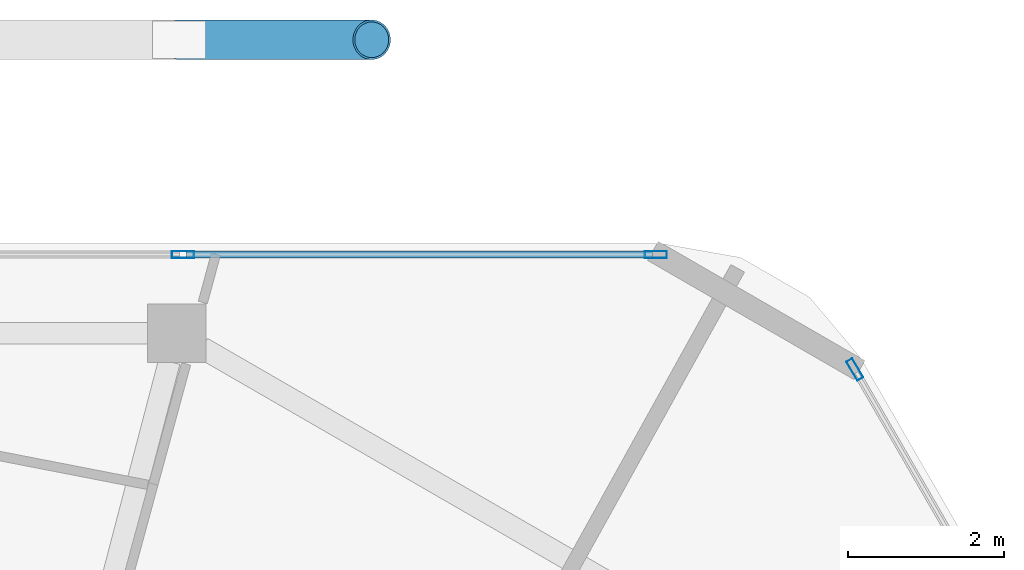
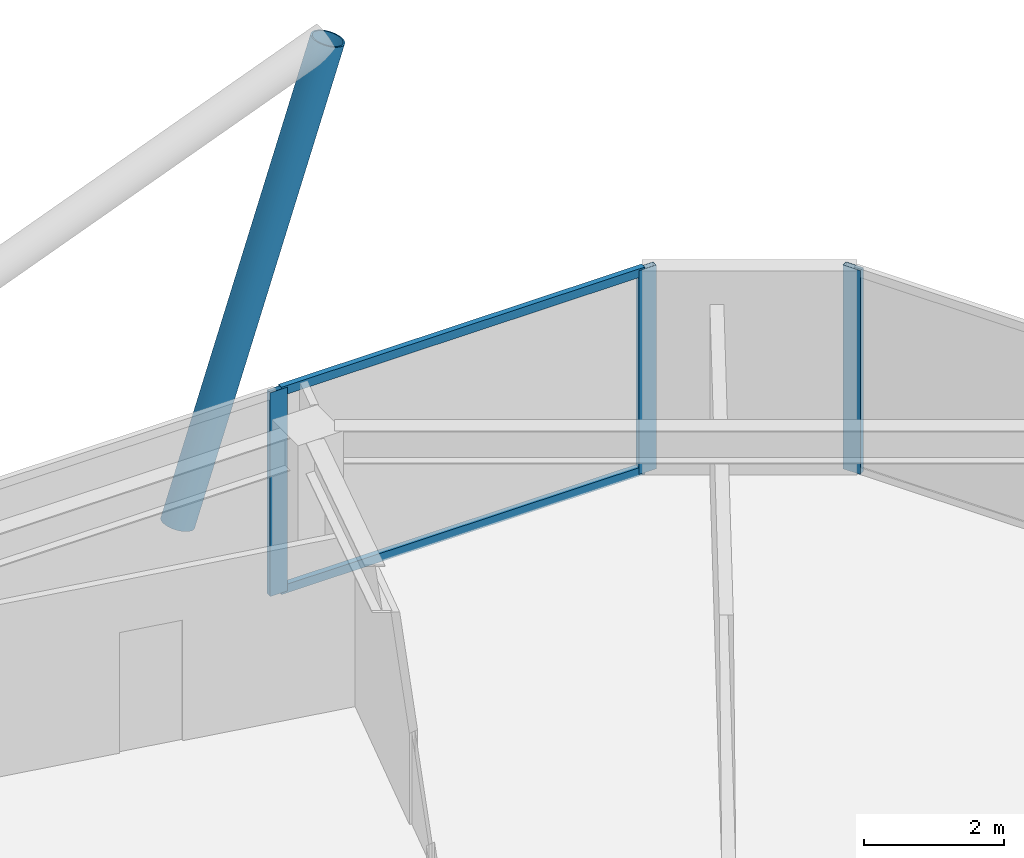
# One storey, part 15 of 24: 6 members, 2 elements without a shape of their own.
"""IFC4 building model written with IfcOpenShell, lengths in metres."""

from ifc_helpers import new_model, si_unit, direction, frame, origin, origin_2d, place, context, subcontext, project, spatial, hollow_rectangle, hollow_circle, extrude, material, material_profile, profile_set, type_object, element, aggregate, save


model = new_model("IFC4")

# Units and contexts
model_context = context("Model", 3, precision=1e-05, world=origin(), true_north=direction((0.0, 1.0)))
body_context = subcontext(model_context, "Body", "Model", "MODEL_VIEW")
ifc_project = project(units=[si_unit("LENGTHUNIT", "METRE"), si_unit("AREAUNIT", "SQUARE_METRE"), si_unit("VOLUMEUNIT", "CUBIC_METRE"), si_unit("PLANEANGLEUNIT", "RADIAN"), si_unit("MASSUNIT", "GRAM", prefix="KILO")], contexts=[model_context])

# Site, building, storey
site_placement = place(None, origin())
site = spatial("IfcSite", under=ifc_project, at=site_placement, CompositionType="ELEMENT")
building_placement = place(site_placement, origin())
building = spatial("IfcBuilding", under=site, at=building_placement, Name="Zuhravey Tower", CompositionType="ELEMENT")
storey_placement = place(building_placement, frame((0.0, 0.0, 338.60009765625)))
storey = spatial("IfcBuildingStorey", under=building, at=storey_placement, Name="L86", CompositionType="ELEMENT", Elevation=338.60009765625)

# Curtain wall, members
ifc_material_1 = material(Name="Thermally broken anodised aluminium", Category="aluminium")
curtain_wall_type = type_object("IfcCurtainWallType", Name="Zone 3-4 High-Rise Curtain Wall CW4", PredefinedType="NOTDEFINED", material=ifc_material_1)
curtain_wall_1_placement = place(storey_placement, origin())
curtain_wall_1 = element("IfcCurtainWall", 1, at=curtain_wall_1_placement, inside=storey, type_object=curtain_wall_type, Name="L86 CW4 CW-L86-F2-1", PredefinedType="NOTDEFINED")
ifc_material_2 = material(Name="Anodised aluminium", Category="aluminium")
ifc_material_profile_1 = material_profile(ifc_material_2, hollow_rectangle(XDim=0.090087890625, YDim=0.284912109375, WallThickness=0.0048828125, at=origin_2d()), Name="ALU-RHS-90x285x5")
ifc_profile_set_1 = profile_set([ifc_material_profile_1], Name="Anodised aluminium")
member_type_1 = type_object("IfcMemberType", Name="Curtain-Wall Mullion 90x180", PredefinedType="MULLION", material=ifc_profile_set_1)
member_1_placement = place(storey_placement, frame((42.11962890625, 56.07421875, 0.0), z_axis=(0.0, 0.0, 1.0), x_axis=(0.0, 1.0, 0.0)))
member_1 = element("IfcMember", 2, at=member_1_placement, type_object=member_type_1, Name="CW4 mullion 4", PredefinedType="MULLION", context=body_context, shape_type="SweptSolid", body=[
    extrude(hollow_rectangle(XDim=0.090087890625, YDim=0.284912109375, WallThickness=0.0048828125, at=origin_2d()), origin(), (0.0, 0.0, 1.0), 3.5498046875),
])
member_2_placement = place(storey_placement, frame((48.1943359375, 56.07421875, 0.0), z_axis=(0.0, 0.0, 1.0), x_axis=(0.0, 1.0, 0.0)))
member_2 = element("IfcMember", 3, at=member_2_placement, type_object=member_type_1, Name="CW4 mullion 5", PredefinedType="MULLION", context=body_context, shape_type="SweptSolid", body=[
    extrude(hollow_rectangle(XDim=0.090087890625, YDim=0.284912109375, WallThickness=0.0048828125, at=origin_2d()), origin(), (0.0, 0.0, 1.0), 3.5498046875),
])

# Curtain wall, member
curtain_wall_2_placement = place(storey_placement, origin())
curtain_wall_2 = element("IfcCurtainWall", 4, at=curtain_wall_2_placement, inside=storey, type_object=curtain_wall_type, Name="L86 CW4 CW-L86-F1-1", PredefinedType="NOTDEFINED")
member_3_placement = place(storey_placement, frame((50.751708984375, 54.59765625, 0.0), z_axis=(0.0, 0.0, 1.0), x_axis=(0.866025511541, 0.49999981336, 0.0)))
member_3 = element("IfcMember", 5, at=member_3_placement, type_object=member_type_1, Name="CW4 mullion 1", PredefinedType="MULLION", context=body_context, shape_type="SweptSolid", body=[
    extrude(hollow_rectangle(XDim=0.090087890625, YDim=0.284912109375, WallThickness=0.0048828125, at=origin_2d()), origin(), (0.0, 0.0, 1.0), 3.5498046875),
])
aggregate(curtain_wall_2, [member_3])

# Member
ifc_material_profile_2 = material_profile(ifc_material_2, hollow_rectangle(XDim=0.090087890625, YDim=0.14990234375, WallThickness=0.0048828125, at=origin_2d()), Name="ALU-RHS-90x150x5")
ifc_profile_set_2 = profile_set([ifc_material_profile_2], Name="Anodised aluminium")
member_type_2 = type_object("IfcMemberType", Name="Curtain-Wall Transom 90x150", PredefinedType="USERDEFINED", material=ifc_profile_set_2)
member_4_placement = place(storey_placement, frame((42.16455078125, 56.07421875, 0.044921875), z_axis=(1.0, 0.0, 0.0), x_axis=(0.0, 1.0, 0.0)))
member_4 = element("IfcMember", 6, at=member_4_placement, type_object=member_type_2, Name="CW4 transom 4.1", ObjectType="TRANSOM", PredefinedType="USERDEFINED", context=body_context, shape_type="SweptSolid", body=[
    extrude(hollow_rectangle(XDim=0.090087890625, YDim=0.14990234375, WallThickness=0.0048828125, at=origin_2d()), origin(), (0.0, 0.0, 1.0), 5.98486328125),
])

member_5_placement = place(storey_placement, frame((42.16455078125, 56.07421875, 3.5048828125), z_axis=(1.0, 0.0, 0.0), x_axis=(0.0, 1.0, 0.0)))
member_5 = element("IfcMember", 7, at=member_5_placement, type_object=member_type_2, Name="CW4 transom 4.2", ObjectType="TRANSOM", PredefinedType="USERDEFINED", context=body_context, shape_type="SweptSolid", body=[
    extrude(hollow_rectangle(XDim=0.090087890625, YDim=0.14990234375, WallThickness=0.0048828125, at=origin_2d()), origin(), (0.0, 0.0, 1.0), 5.98486328125),
])

aggregate(curtain_wall_1, [member_1, member_2, member_4, member_5])

ifc_material_3 = material(Name="Steel SM355", Category="steel")
ifc_material_profile_3 = material_profile(ifc_material_3, hollow_circle(Radius=0.25390625, WallThickness=0.02490234375, at=origin_2d()), Name="CHS-508.0x25")
ifc_profile_set_3 = profile_set([ifc_material_profile_3], Name="Steel SM355")
member_type_3 = type_object("IfcMemberType", Name="Exoskeleton Zone 4 Diagrid CHS508x25", PredefinedType="BRACE", material=ifc_profile_set_3)
member_6_placement = place(storey_placement, frame((42.072509765625, 58.833984375, -0.447998046875), z_axis=(0.31046285921, 0.0, 0.950585510647), x_axis=(0.0, 1.0, 0.0)))
element("IfcMember", 8, at=member_6_placement, inside=storey, type_object=member_type_3, Name="L86 Face 2 Diagrid Brace 1", PredefinedType="BRACE", context=body_context, shape_type="SweptSolid", body=[
    extrude(hollow_circle(Radius=0.25390625, WallThickness=0.02490234375, at=origin_2d()), origin(), (0.0, 0.0, 1.0), 7.961181640625),
])

save(model, "model.ifc")
